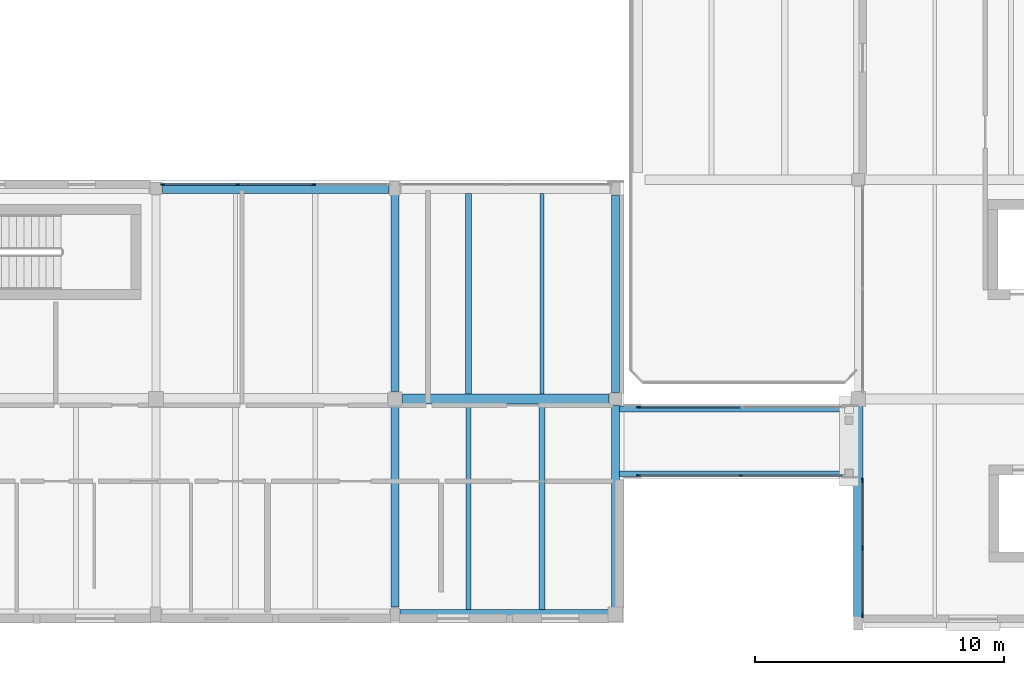
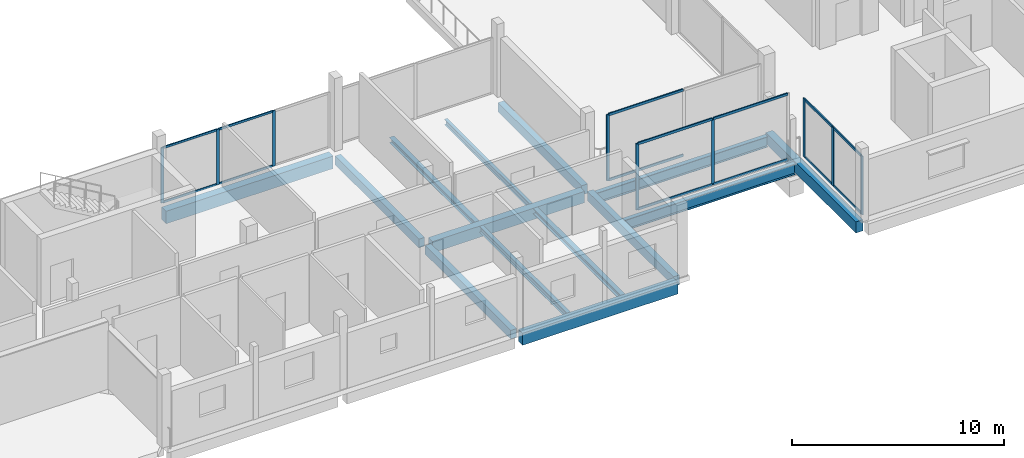
# One storey, part 11 of 41: 23 members, 14 beams, 4 elements without a shape of their own.
"""IFC4 building model written with IfcOpenShell, lengths in metres."""

from ifc_helpers import new_model, si_unit, direction, frame, origin, origin_2d, place, context, subcontext, project, spatial, rectangle, i_section, extrude, material, layer, layer_set, material_profile, profile_set, type_object, element, aggregate, save


model = new_model("IFC4")

# Units and contexts
model_context = context("Model", 3, precision=1e-05, world=origin(), true_north=direction((0.0, 1.0)))
body_context = subcontext(model_context, "Body", "Model", "MODEL_VIEW")
ifc_project = project(units=[si_unit("LENGTHUNIT", "METRE"), si_unit("AREAUNIT", "SQUARE_METRE"), si_unit("VOLUMEUNIT", "CUBIC_METRE"), si_unit("PLANEANGLEUNIT", "RADIAN"), si_unit("MASSUNIT", "GRAM", prefix="KILO")], contexts=[model_context])

# Site, building, storey
site_placement = place(None, origin())
site = spatial("IfcSite", under=ifc_project, at=site_placement, CompositionType="ELEMENT")
building_placement = place(site_placement, origin())
building = spatial("IfcBuilding", under=site, at=building_placement, Name="Birchvale Park Specialist Clinic", CompositionType="ELEMENT")
storey_placement = place(building_placement, frame((0.0, 0.0, 9.60009765625)))
storey = spatial("IfcBuildingStorey", under=building, at=storey_placement, Name="L02", CompositionType="ELEMENT", Elevation=9.60009765625)

# Beams
ifc_material_1 = material(Name="Concrete C40/50", Category="concrete")
ifc_material_profile_1 = material_profile(ifc_material_1, rectangle(XDim=0.419921875, YDim=0.719970703125, at=origin_2d()), Name="RCB-420x720")
ifc_profile_set_1 = profile_set([ifc_material_profile_1], Name="Concrete C40/50")
beam_type_1 = type_object("IfcBeamType", Name="BM-EXT-BG3", PredefinedType="BEAM", material=ifc_profile_set_1)
beam_1_placement = place(storey_placement, frame((100.06494140625, 34.25, -0.64013671875), z_axis=(1.0, 0.0, 0.0), x_axis=(0.0, 1.0, 0.0)))
element("IfcBeam", 1, at=beam_1_placement, inside=storey, type_object=beam_type_1, Name="V4 L02 X girder 19", PredefinedType="BEAM", context=body_context, shape_type="SweptSolid", body=[
    extrude(rectangle(XDim=0.419921875, YDim=0.719970703125, at=origin_2d()), origin(), (0.0, 0.0, 1.0), 9.094970703125),
])
ifc_material_profile_2 = material_profile(ifc_material_1, rectangle(XDim=0.39990234375, YDim=0.68994140625, at=origin_2d()), Name="RCB-400x690")
ifc_profile_set_2 = profile_set([ifc_material_profile_2], Name="Concrete C40/50")
beam_type_2 = type_object("IfcBeamType", Name="BM-EXT-BG4", PredefinedType="BEAM", material=ifc_profile_set_2)
beam_2_placement = place(storey_placement, frame((109.610107421875, 17.14990234375, -0.625), z_axis=(1.0, 0.0, 0.0), x_axis=(0.0, 1.0, 0.0)))
element("IfcBeam", 2, at=beam_2_placement, inside=storey, type_object=beam_type_2, Name="V4 L02 X girder 6", PredefinedType="BEAM", context=body_context, shape_type="SweptSolid", body=[
    extrude(rectangle(XDim=0.39990234375, YDim=0.68994140625, at=origin_2d()), origin(), (0.0, 0.0, 1.0), 8.454833984375),
])
ifc_material_profile_3 = material_profile(ifc_material_1, rectangle(XDim=0.3798828125, YDim=0.639892578125, at=origin_2d()), Name="RCB-380x640")
ifc_profile_set_3 = profile_set([ifc_material_profile_3], Name="Concrete C40/50")
beam_type_3 = type_object("IfcBeamType", Name="BM-EXT-BG5", PredefinedType="BEAM", material=ifc_profile_set_3)
beam_3_placement = place(storey_placement, frame((128.0, 17.050048828125, -0.6201171875), z_axis=(0.0, 1.0, 0.0), x_axis=(-1.0, 0.0, 0.0)))
element("IfcBeam", 3, at=beam_3_placement, inside=storey, type_object=beam_type_3, Name="V5 L02 Y girder 20", PredefinedType="BEAM", context=body_context, shape_type="SweptSolid", body=[
    extrude(rectangle(XDim=0.3798828125, YDim=0.639892578125, at=origin_2d()), origin(), (0.0, 0.0, 1.0), 8.5),
])
ifc_material_profile_4 = material_profile(ifc_material_1, rectangle(XDim=0.320068359375, YDim=0.5400390625, at=origin_2d()), Name="RCB-320x540")
ifc_profile_set_4 = profile_set([ifc_material_profile_4], Name="Concrete C40/50")
beam_type_4 = type_object("IfcBeamType", Name="BM-EXT-BG7", PredefinedType="BEAM", material=ifc_profile_set_4)
beam_4_placement = place(storey_placement, frame((118.25, 17.409912109375, -0.550048828125), z_axis=(0.0, 1.0, 0.0), x_axis=(-1.0, 0.0, 0.0)))
element("IfcBeam", 4, at=beam_4_placement, inside=storey, type_object=beam_type_4, Name="V4 L02 Y girder 35", PredefinedType="BEAM", context=body_context, shape_type="SweptSolid", body=[
    extrude(rectangle(XDim=0.320068359375, YDim=0.5400390625, at=origin_2d()), origin(), (0.0, 0.0, 1.0), 8.125),
])
beam_5_placement = place(storey_placement, frame((118.25, 26.06494140625, -0.550048828125), z_axis=(0.0, 1.0, 0.0), x_axis=(-1.0, 0.0, 0.0)))
element("IfcBeam", 5, at=beam_5_placement, inside=storey, type_object=beam_type_4, Name="V4 L02 Y girder 36", PredefinedType="BEAM", context=body_context, shape_type="SweptSolid", body=[
    extrude(rectangle(XDim=0.320068359375, YDim=0.5400390625, at=origin_2d()), origin(), (0.0, 0.0, 1.0), 7.89501953125),
])
ifc_material_profile_5 = material_profile(ifc_material_1, rectangle(XDim=0.39990234375, YDim=0.64990234375, at=origin_2d()), Name="RCB-400x650")
ifc_profile_set_5 = profile_set([ifc_material_profile_5], Name="Concrete C40/50")
beam_type_5 = type_object("IfcBeamType", Name="BM-INT-BG4", PredefinedType="BEAM", material=ifc_profile_set_5)
beam_6_placement = place(storey_placement, frame((109.699951171875, 25.800048828125, -0.60498046875), z_axis=(1.0, 0.0, 0.0), x_axis=(0.0, 1.0, 0.0)))
element("IfcBeam", 6, at=beam_6_placement, inside=storey, type_object=beam_type_5, Name="V4 L02 X girder 13", PredefinedType="BEAM", context=body_context, shape_type="SweptSolid", body=[
    extrude(rectangle(XDim=0.39990234375, YDim=0.64990234375, at=origin_2d()), origin(), (0.0, 0.0, 1.0), 8.28515625),
])
ifc_material_profile_6 = material_profile(ifc_material_1, rectangle(XDim=0.320068359375, YDim=0.5, at=origin_2d()), Name="RCB-320x500")
ifc_profile_set_6 = profile_set([ifc_material_profile_6], Name="Concrete C40/50")
beam_type_6 = type_object("IfcBeamType", Name="BM-INT-BG7", PredefinedType="BEAM", material=ifc_profile_set_6)
beam_7_placement = place(storey_placement, frame((109.39990234375, 17.43994140625, -0.530029296875), z_axis=(0.0, 1.0, 0.0), x_axis=(-1.0, 0.0, 0.0)))
element("IfcBeam", 7, at=beam_7_placement, inside=storey, type_object=beam_type_6, Name="V4 L02 Y girder 33", PredefinedType="BEAM", context=body_context, shape_type="SweptSolid", body=[
    extrude(rectangle(XDim=0.320068359375, YDim=0.5, at=origin_2d()), origin(), (0.0, 0.0, 1.0), 8.06005859375),
])
beam_8_placement = place(storey_placement, frame((109.39990234375, 26.10009765625, -0.530029296875), z_axis=(0.0, 1.0, 0.0), x_axis=(-1.0, 0.0, 0.0)))
element("IfcBeam", 8, at=beam_8_placement, inside=storey, type_object=beam_type_6, Name="V4 L02 Y girder 34", PredefinedType="BEAM", context=body_context, shape_type="SweptSolid", body=[
    extrude(rectangle(XDim=0.320068359375, YDim=0.5, at=origin_2d()), origin(), (0.0, 0.0, 1.0), 7.909912109375),
])

# Curtain wall, members
ifc_material_2 = material(Name="Thermally broken anodised aluminium", Category="aluminium")
ifc_layer_1 = layer(ifc_material_2, 0.179931640625)
ifc_layer_set_1 = layer_set([ifc_layer_1], Name="Thermally broken anodised aluminium")
curtain_wall_type_1 = type_object("IfcCurtainWallType", Name="CW-U1", PredefinedType="USERDEFINED", material=ifc_layer_set_1)
curtain_wall_1_placement = place(storey_placement, origin())
curtain_wall_1 = element("IfcCurtainWall", 9, at=curtain_wall_1_placement, inside=storey, type_object=curtain_wall_type_1, Name="V4 L02 glazed curtain wall 110", ObjectType="UNITISED", PredefinedType="USERDEFINED")
ifc_material_profile_7 = material_profile(ifc_material_2, rectangle(XDim=0.06005859375, YDim=0.159912109375, at=origin_2d()), Name="CWM-60x160")
ifc_profile_set_7 = profile_set([ifc_material_profile_7], Name="Thermally broken anodised aluminium")
member_type_1 = type_object("IfcMemberType", Name="CWM1", PredefinedType="MULLION", material=ifc_profile_set_7)
member_1_placement = place(storey_placement, frame((106.139892578125, 34.409912109375, 0.0), z_axis=(0.0, 0.0, 1.0), x_axis=(0.0, -1.0, 0.0)))
member_1 = element("IfcMember", 10, at=member_1_placement, type_object=member_type_1, Name="CW mullion 2", PredefinedType="MULLION", context=body_context, shape_type="SweptSolid", body=[
    extrude(rectangle(XDim=0.06005859375, YDim=0.159912109375, at=origin_2d()), origin(), (0.0, 0.0, 1.0), 3.184814453125),
])
member_2_placement = place(storey_placement, frame((103.090087890625, 34.409912109375, 0.0), z_axis=(0.0, 0.0, 1.0), x_axis=(0.0, -1.0, 0.0)))
member_2 = element("IfcMember", 11, at=member_2_placement, type_object=member_type_1, Name="CW mullion 3", PredefinedType="MULLION", context=body_context, shape_type="SweptSolid", body=[
    extrude(rectangle(XDim=0.06005859375, YDim=0.159912109375, at=origin_2d()), origin(), (0.0, 0.0, 1.0), 3.184814453125),
])
member_3_placement = place(storey_placement, frame((100.070068359375, 34.409912109375, 0.0), z_axis=(0.0, 0.0, 1.0), x_axis=(0.0, -1.0, 0.0)))
member_3 = element("IfcMember", 12, at=member_3_placement, type_object=member_type_1, Name="CW mullion 4", PredefinedType="MULLION", context=body_context, shape_type="SweptSolid", body=[
    extrude(rectangle(XDim=0.06005859375, YDim=0.159912109375, at=origin_2d()), origin(), (0.0, 0.0, 1.0), 3.184814453125),
])

ifc_layer_2 = layer(ifc_material_2, 0.14990234375)
ifc_layer_set_2 = layer_set([ifc_layer_2], Name="Thermally broken anodised aluminium")
curtain_wall_type_2 = type_object("IfcCurtainWallType", Name="CW-S2", PredefinedType="USERDEFINED", material=ifc_layer_set_2)
curtain_wall_2_placement = place(storey_placement, origin())
curtain_wall_2 = element("IfcCurtainWall", 13, at=curtain_wall_2_placement, inside=storey, type_object=curtain_wall_type_2, Name="V4 L02 glazed curtain wall 153", ObjectType="STICK", PredefinedType="USERDEFINED")
member_4_placement = place(storey_placement, frame((119.179931640625, 22.719970703125, 0.0), z_axis=(0.0, 0.0, 1.0), x_axis=(0.0, 1.0, 0.0)))
member_4 = element("IfcMember", 14, at=member_4_placement, type_object=member_type_1, Name="CW mullion 1", PredefinedType="MULLION", context=body_context, shape_type="SweptSolid", body=[
    extrude(rectangle(XDim=0.06005859375, YDim=0.159912109375, at=origin_2d()), origin(), (0.0, 0.0, 1.0), 3.81982421875),
])
member_5_placement = place(storey_placement, frame((123.284912109375, 22.719970703125, 0.0), z_axis=(0.0, 0.0, 1.0), x_axis=(0.0, 1.0, 0.0)))
member_5 = element("IfcMember", 15, at=member_5_placement, type_object=member_type_1, Name="CW mullion 2", PredefinedType="MULLION", context=body_context, shape_type="SweptSolid", body=[
    extrude(rectangle(XDim=0.06005859375, YDim=0.159912109375, at=origin_2d()), origin(), (0.0, 0.0, 1.0), 3.81982421875),
])

# Curtain wall, member
curtain_wall_3_placement = place(storey_placement, origin())
curtain_wall_3 = element("IfcCurtainWall", 16, at=curtain_wall_3_placement, inside=storey, type_object=curtain_wall_type_2, Name="V4 L02 glazed curtain wall 154", ObjectType="STICK", PredefinedType="USERDEFINED")
member_6_placement = place(storey_placement, frame((119.179931640625, 25.47998046875, 0.0), z_axis=(0.0, 0.0, 1.0), x_axis=(0.0, -1.0, 0.0)))
member_6 = element("IfcMember", 17, at=member_6_placement, type_object=member_type_1, Name="CW mullion 3", PredefinedType="MULLION", context=body_context, shape_type="SweptSolid", body=[
    extrude(rectangle(XDim=0.06005859375, YDim=0.159912109375, at=origin_2d()), origin(), (0.0, 0.0, 1.0), 3.81982421875),
])

# Curtain wall, members
ifc_layer_3 = layer(ifc_material_2, 0.195068359375)
ifc_layer_set_3 = layer_set([ifc_layer_3], Name="Thermally broken anodised aluminium")
curtain_wall_type_3 = type_object("IfcCurtainWallType", Name="CW-U2", PredefinedType="USERDEFINED", material=ifc_layer_set_3)
curtain_wall_4_placement = place(storey_placement, origin())
curtain_wall_4 = element("IfcCurtainWall", 18, at=curtain_wall_4_placement, inside=storey, type_object=curtain_wall_type_3, Name="V5 L02 glazed curtain wall 113", ObjectType="UNITISED", PredefinedType="USERDEFINED")
ifc_material_profile_8 = material_profile(ifc_material_2, rectangle(XDim=0.06494140625, YDim=0.179931640625, at=origin_2d()), Name="CWM-65x180")
ifc_profile_set_8 = profile_set([ifc_material_profile_8], Name="Thermally broken anodised aluminium")
member_type_2 = type_object("IfcMemberType", Name="CWM2", PredefinedType="MULLION", material=ifc_profile_set_8)
member_7_placement = place(storey_placement, frame((128.175048828125, 22.517578125, 0.0), z_axis=(0.0, 0.0, 1.0), x_axis=(1.0, 0.0, 0.0)))
member_7 = element("IfcMember", 19, at=member_7_placement, type_object=member_type_2, Name="CW mullion 1", PredefinedType="MULLION", context=body_context, shape_type="SweptSolid", body=[
    extrude(rectangle(XDim=0.06494140625, YDim=0.179931640625, at=origin_2d()), origin(), (0.0, 0.0, 1.0), 3.364990234375),
])
member_8_placement = place(storey_placement, frame((128.175048828125, 19.8125, 0.0), z_axis=(0.0, 0.0, 1.0), x_axis=(1.0, 0.0, 0.0)))
member_8 = element("IfcMember", 20, at=member_8_placement, type_object=member_type_2, Name="CW mullion 2", PredefinedType="MULLION", context=body_context, shape_type="SweptSolid", body=[
    extrude(rectangle(XDim=0.06494140625, YDim=0.179931640625, at=origin_2d()), origin(), (0.0, 0.0, 1.0), 3.364990234375),
])
member_9_placement = place(storey_placement, frame((128.175048828125, 17.107421875, 0.0), z_axis=(0.0, 0.0, 1.0), x_axis=(1.0, 0.0, 0.0)))
member_9 = element("IfcMember", 21, at=member_9_placement, type_object=member_type_2, Name="CW mullion 3", PredefinedType="MULLION", context=body_context, shape_type="SweptSolid", body=[
    extrude(rectangle(XDim=0.06494140625, YDim=0.179931640625, at=origin_2d()), origin(), (0.0, 0.0, 1.0), 3.364990234375),
])

# Member
ifc_material_profile_9 = material_profile(ifc_material_2, rectangle(XDim=0.06005859375, YDim=0.1201171875, at=origin_2d()), Name="CWT-60x120")
ifc_profile_set_9 = profile_set([ifc_material_profile_9], Name="Thermally broken anodised aluminium")
member_type_3 = type_object("IfcMemberType", Name="CWT1", PredefinedType="USERDEFINED", material=ifc_profile_set_9)
member_10_placement = place(storey_placement, frame((106.110107421875, 34.409912109375, 0.02978515625), z_axis=(-1.0, 0.0, 0.0), x_axis=(0.0, -1.0, 0.0)))
member_10 = element("IfcMember", 22, at=member_10_placement, type_object=member_type_3, Name="CW transom 2.1", ObjectType="TRANSOM", PredefinedType="USERDEFINED", context=body_context, shape_type="SweptSolid", body=[
    extrude(rectangle(XDim=0.06005859375, YDim=0.1201171875, at=origin_2d()), origin(), (0.0, 0.0, 1.0), 2.989990234375),
])

member_11_placement = place(storey_placement, frame((106.110107421875, 34.409912109375, 3.15478515625), z_axis=(-1.0, 0.0, 0.0), x_axis=(0.0, -1.0, 0.0)))
member_11 = element("IfcMember", 23, at=member_11_placement, type_object=member_type_3, Name="CW transom 2.2", ObjectType="TRANSOM", PredefinedType="USERDEFINED", context=body_context, shape_type="SweptSolid", body=[
    extrude(rectangle(XDim=0.06005859375, YDim=0.1201171875, at=origin_2d()), origin(), (0.0, 0.0, 1.0), 2.989990234375),
])

member_12_placement = place(storey_placement, frame((103.06005859375, 34.409912109375, 0.02978515625), z_axis=(-1.0, 0.0, 0.0), x_axis=(0.0, -1.0, 0.0)))
member_12 = element("IfcMember", 24, at=member_12_placement, type_object=member_type_3, Name="CW transom 3.1", ObjectType="TRANSOM", PredefinedType="USERDEFINED", context=body_context, shape_type="SweptSolid", body=[
    extrude(rectangle(XDim=0.06005859375, YDim=0.1201171875, at=origin_2d()), origin(), (0.0, 0.0, 1.0), 2.9599609375),
])

member_13_placement = place(storey_placement, frame((103.06005859375, 34.409912109375, 3.15478515625), z_axis=(-1.0, 0.0, 0.0), x_axis=(0.0, -1.0, 0.0)))
member_13 = element("IfcMember", 25, at=member_13_placement, type_object=member_type_3, Name="CW transom 3.2", ObjectType="TRANSOM", PredefinedType="USERDEFINED", context=body_context, shape_type="SweptSolid", body=[
    extrude(rectangle(XDim=0.06005859375, YDim=0.1201171875, at=origin_2d()), origin(), (0.0, 0.0, 1.0), 2.9599609375),
])

aggregate(curtain_wall_1, [member_1, member_2, member_3, member_10, member_11, member_12, member_13])

ifc_material_profile_10 = material_profile(ifc_material_2, rectangle(XDim=0.06494140625, YDim=0.139892578125, at=origin_2d()), Name="CWT-65x140")
ifc_profile_set_10 = profile_set([ifc_material_profile_10], Name="Thermally broken anodised aluminium")
member_type_4 = type_object("IfcMemberType", Name="CWT2", PredefinedType="USERDEFINED", material=ifc_profile_set_10)
member_14_placement = place(storey_placement, frame((128.175048828125, 22.485107421875, 0.032470703125), z_axis=(0.0, -1.0, 0.0), x_axis=(1.0, 0.0, 0.0)))
member_14 = element("IfcMember", 26, at=member_14_placement, type_object=member_type_4, Name="CW transom 1.1", ObjectType="TRANSOM", PredefinedType="USERDEFINED", context=body_context, shape_type="SweptSolid", body=[
    extrude(rectangle(XDim=0.06494140625, YDim=0.139892578125, at=origin_2d()), origin(), (0.0, 0.0, 1.0), 2.64013671875),
])

member_15_placement = place(storey_placement, frame((128.175048828125, 22.485107421875, 3.33251953125), z_axis=(0.0, -1.0, 0.0), x_axis=(1.0, 0.0, 0.0)))
member_15 = element("IfcMember", 27, at=member_15_placement, type_object=member_type_4, Name="CW transom 1.2", ObjectType="TRANSOM", PredefinedType="USERDEFINED", context=body_context, shape_type="SweptSolid", body=[
    extrude(rectangle(XDim=0.06494140625, YDim=0.139892578125, at=origin_2d()), origin(), (0.0, 0.0, 1.0), 2.64013671875),
])

member_16_placement = place(storey_placement, frame((128.175048828125, 19.780029296875, 0.032470703125), z_axis=(0.0, -1.0, 0.0), x_axis=(1.0, 0.0, 0.0)))
member_16 = element("IfcMember", 28, at=member_16_placement, type_object=member_type_4, Name="CW transom 2.1", ObjectType="TRANSOM", PredefinedType="USERDEFINED", context=body_context, shape_type="SweptSolid", body=[
    extrude(rectangle(XDim=0.06494140625, YDim=0.139892578125, at=origin_2d()), origin(), (0.0, 0.0, 1.0), 2.64013671875),
])

member_17_placement = place(storey_placement, frame((128.175048828125, 19.780029296875, 3.33251953125), z_axis=(0.0, -1.0, 0.0), x_axis=(1.0, 0.0, 0.0)))
member_17 = element("IfcMember", 29, at=member_17_placement, type_object=member_type_4, Name="CW transom 2.2", ObjectType="TRANSOM", PredefinedType="USERDEFINED", context=body_context, shape_type="SweptSolid", body=[
    extrude(rectangle(XDim=0.06494140625, YDim=0.139892578125, at=origin_2d()), origin(), (0.0, 0.0, 1.0), 2.64013671875),
])

aggregate(curtain_wall_4, [member_7, member_8, member_9, member_14, member_15, member_16, member_17])

member_18_placement = place(storey_placement, frame((119.2099609375, 22.719970703125, 0.032470703125), z_axis=(1.0, 0.0, 0.0), x_axis=(0.0, 1.0, 0.0)))
member_18 = element("IfcMember", 30, at=member_18_placement, type_object=member_type_4, Name="CW transom 1.1", ObjectType="TRANSOM", PredefinedType="USERDEFINED", context=body_context, shape_type="SweptSolid", body=[
    extrude(rectangle(XDim=0.06494140625, YDim=0.139892578125, at=origin_2d()), origin(), (0.0, 0.0, 1.0), 4.044921875),
])

member_19_placement = place(storey_placement, frame((119.2099609375, 22.719970703125, 3.787353515625), z_axis=(1.0, 0.0, 0.0), x_axis=(0.0, 1.0, 0.0)))
member_19 = element("IfcMember", 31, at=member_19_placement, type_object=member_type_4, Name="CW transom 1.2", ObjectType="TRANSOM", PredefinedType="USERDEFINED", context=body_context, shape_type="SweptSolid", body=[
    extrude(rectangle(XDim=0.06494140625, YDim=0.139892578125, at=origin_2d()), origin(), (0.0, 0.0, 1.0), 4.044921875),
])

member_20_placement = place(storey_placement, frame((123.31494140625, 22.719970703125, 0.032470703125), z_axis=(1.0, 0.0, 0.0), x_axis=(0.0, 1.0, 0.0)))
member_20 = element("IfcMember", 32, at=member_20_placement, type_object=member_type_4, Name="CW transom 2.1", ObjectType="TRANSOM", PredefinedType="USERDEFINED", context=body_context, shape_type="SweptSolid", body=[
    extrude(rectangle(XDim=0.06494140625, YDim=0.139892578125, at=origin_2d()), origin(), (0.0, 0.0, 1.0), 4.045166015625),
])

member_21_placement = place(storey_placement, frame((123.31494140625, 22.719970703125, 3.787353515625), z_axis=(1.0, 0.0, 0.0), x_axis=(0.0, 1.0, 0.0)))
member_21 = element("IfcMember", 33, at=member_21_placement, type_object=member_type_4, Name="CW transom 2.2", ObjectType="TRANSOM", PredefinedType="USERDEFINED", context=body_context, shape_type="SweptSolid", body=[
    extrude(rectangle(XDim=0.06494140625, YDim=0.139892578125, at=origin_2d()), origin(), (0.0, 0.0, 1.0), 4.045166015625),
])

aggregate(curtain_wall_2, [member_4, member_5, member_18, member_19, member_20, member_21])

member_22_placement = place(storey_placement, frame((123.27001953125, 25.47998046875, 0.032470703125), z_axis=(-1.0, 0.0, 0.0), x_axis=(0.0, -1.0, 0.0)))
member_22 = element("IfcMember", 34, at=member_22_placement, type_object=member_type_4, Name="CW transom 2.1", ObjectType="TRANSOM", PredefinedType="USERDEFINED", context=body_context, shape_type="SweptSolid", body=[
    extrude(rectangle(XDim=0.06494140625, YDim=0.139892578125, at=origin_2d()), origin(), (0.0, 0.0, 1.0), 4.06005859375),
])

member_23_placement = place(storey_placement, frame((123.27001953125, 25.47998046875, 3.787353515625), z_axis=(-1.0, 0.0, 0.0), x_axis=(0.0, -1.0, 0.0)))
member_23 = element("IfcMember", 35, at=member_23_placement, type_object=member_type_4, Name="CW transom 2.2", ObjectType="TRANSOM", PredefinedType="USERDEFINED", context=body_context, shape_type="SweptSolid", body=[
    extrude(rectangle(XDim=0.06494140625, YDim=0.139892578125, at=origin_2d()), origin(), (0.0, 0.0, 1.0), 4.06005859375),
])

aggregate(curtain_wall_3, [member_6, member_22, member_23])

# Beams
ifc_material_3 = material(Name="Steel ASTM A992 Grade 50", Category="steel")
ifc_material_profile_11 = material_profile(ifc_material_3, i_section(OverallWidth=0.22900390625, OverallDepth=0.612060546875, WebThickness=0.011962890625, FlangeThickness=0.01953125, at=origin_2d()), Name="W24X84")
ifc_profile_set_11 = profile_set([ifc_material_profile_11], Name="Steel ASTM A992 Grade 50")
beam_type_7 = type_object("IfcBeamType", Name="STL-EXT-SB2", PredefinedType="BEAM", material=ifc_profile_set_11)
for number, where, z_axis, x_axis, name in (
    (36, (118.409912109375, 22.800048828125, -0.671142578125), (1.0, 0.0, 0.0), (0.0, 1.0, 0.0), "L02 link bridge girder BRG-3.1"),
    (37, (118.409912109375, 25.39990234375, -0.671142578125), (1.0, 0.0, 0.0), (0.0, 1.0, 0.0), "L02 link bridge girder BRG-3.2"),
):
    element("IfcBeam", number, at=place(storey_placement, frame(where, z_axis=z_axis, x_axis=x_axis)), inside=storey, type_object=beam_type_7, Name=name, PredefinedType="BEAM", context=body_context, shape_type="SweptSolid", body=[
        extrude(i_section(OverallWidth=0.22900390625, OverallDepth=0.612060546875, WebThickness=0.011962890625, FlangeThickness=0.01953125, at=origin_2d()), origin(), (0.0, 0.0, 1.0), 9.3701171875),
    ])
ifc_material_profile_12 = material_profile(ifc_material_3, i_section(OverallWidth=0.2041015625, OverallDepth=0.35107421875, WebThickness=0.008544921875, FlangeThickness=0.01513671875, at=origin_2d()), Name="W14X48")
ifc_profile_set_12 = profile_set([ifc_material_profile_12], Name="Steel ASTM A992 Grade 50")
beam_type_8 = type_object("IfcBeamType", Name="STL-INT-SJ1", PredefinedType="JOIST", material=ifc_profile_set_12)
beam_9_placement = place(storey_placement, frame((112.35009765625, 17.35009765625, -0.45556640625), z_axis=(0.0, 1.0, 0.0), x_axis=(-1.0, 0.0, 0.0)))
element("IfcBeam", 38, at=beam_9_placement, inside=storey, type_object=beam_type_8, Name="V4 L02 secondary floor joist 14", PredefinedType="JOIST", context=body_context, shape_type="SweptSolid", body=[
    extrude(i_section(OverallWidth=0.2041015625, OverallDepth=0.35107421875, WebThickness=0.008544921875, FlangeThickness=0.01513671875, at=origin_2d()), origin(), (0.0, 0.0, 1.0), 8.25),
])
ifc_material_profile_13 = material_profile(ifc_material_3, i_section(OverallWidth=0.25390625, OverallDepth=0.305908203125, WebThickness=0.0087890625, FlangeThickness=0.0146484375, at=origin_2d()), Name="W12X53")
ifc_profile_set_13 = profile_set([ifc_material_profile_13], Name="Steel ASTM A992 Grade 50")
beam_type_9 = type_object("IfcBeamType", Name="STL-INT-SJ2", PredefinedType="JOIST", material=ifc_profile_set_13)
beam_10_placement = place(storey_placement, frame((115.300048828125, 17.35009765625, -0.43310546875), z_axis=(0.0, 1.0, 0.0), x_axis=(-1.0, 0.0, 0.0)))
element("IfcBeam", 39, at=beam_10_placement, inside=storey, type_object=beam_type_9, Name="V4 L02 secondary floor joist 15", PredefinedType="JOIST", context=body_context, shape_type="SweptSolid", body=[
    extrude(i_section(OverallWidth=0.25390625, OverallDepth=0.305908203125, WebThickness=0.0087890625, FlangeThickness=0.0146484375, at=origin_2d()), origin(), (0.0, 0.0, 1.0), 8.25),
])
beam_11_placement = place(storey_placement, frame((112.35009765625, 26.0, -0.43310546875), z_axis=(0.0, 1.0, 0.0), x_axis=(-1.0, 0.0, 0.0)))
element("IfcBeam", 40, at=beam_11_placement, inside=storey, type_object=beam_type_9, Name="V4 L02 secondary floor joist 16", PredefinedType="JOIST", context=body_context, shape_type="SweptSolid", body=[
    extrude(i_section(OverallWidth=0.25390625, OverallDepth=0.305908203125, WebThickness=0.0087890625, FlangeThickness=0.0146484375, at=origin_2d()), origin(), (0.0, 0.0, 1.0), 8.050048828125),
])
ifc_material_profile_14 = material_profile(ifc_material_3, i_section(OverallWidth=0.1669921875, OverallDepth=0.31689453125, WebThickness=0.007568359375, FlangeThickness=0.01318359375, at=origin_2d()), Name="W12X35")
ifc_profile_set_14 = profile_set([ifc_material_profile_14], Name="Steel ASTM A992 Grade 50")
beam_type_10 = type_object("IfcBeamType", Name="STL-INT-SJ3", PredefinedType="JOIST", material=ifc_profile_set_14)
beam_12_placement = place(storey_placement, frame((115.300048828125, 26.0, -0.4384765625), z_axis=(0.0, 1.0, 0.0), x_axis=(-1.0, 0.0, 0.0)))
element("IfcBeam", 41, at=beam_12_placement, inside=storey, type_object=beam_type_10, Name="V4 L02 secondary floor joist 17", PredefinedType="JOIST", context=body_context, shape_type="SweptSolid", body=[
    extrude(i_section(OverallWidth=0.1669921875, OverallDepth=0.31689453125, WebThickness=0.007568359375, FlangeThickness=0.01318359375, at=origin_2d()), origin(), (0.0, 0.0, 1.0), 8.050048828125),
])

save(model, "model.ifc")
